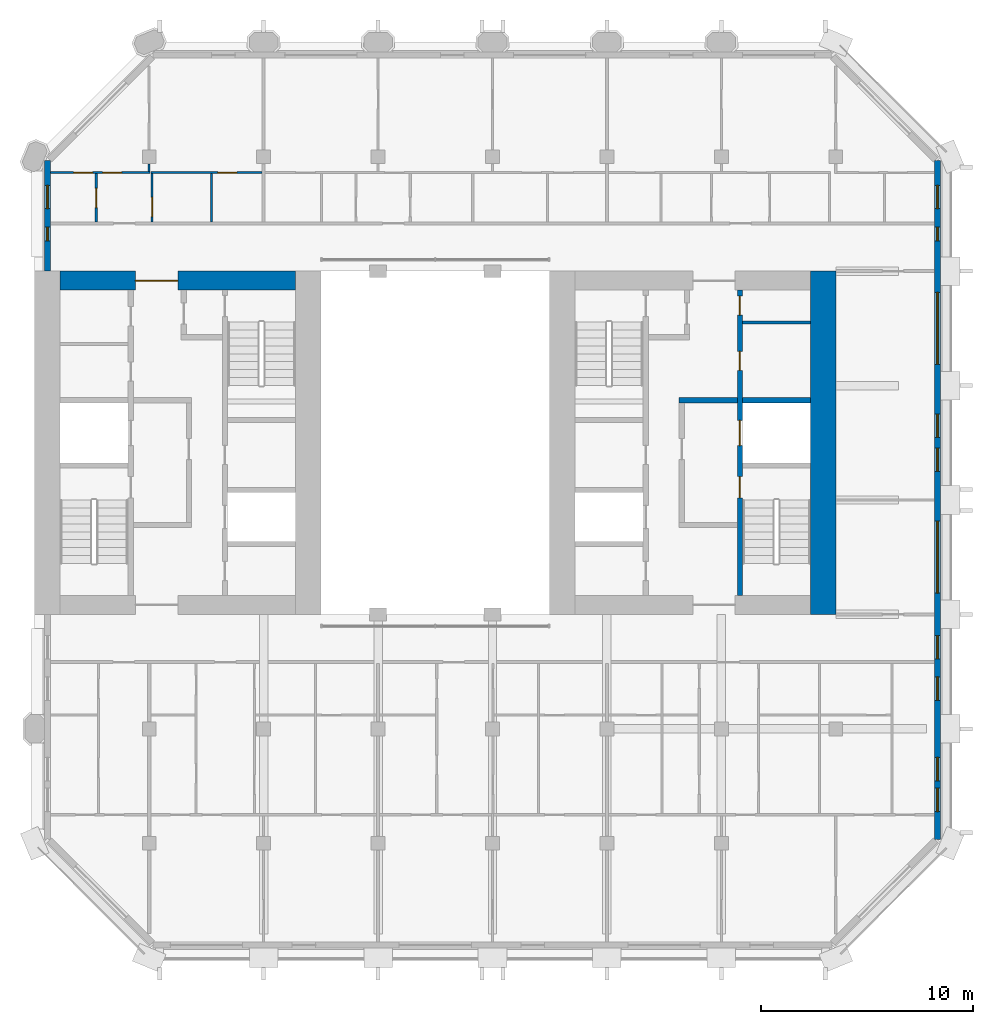
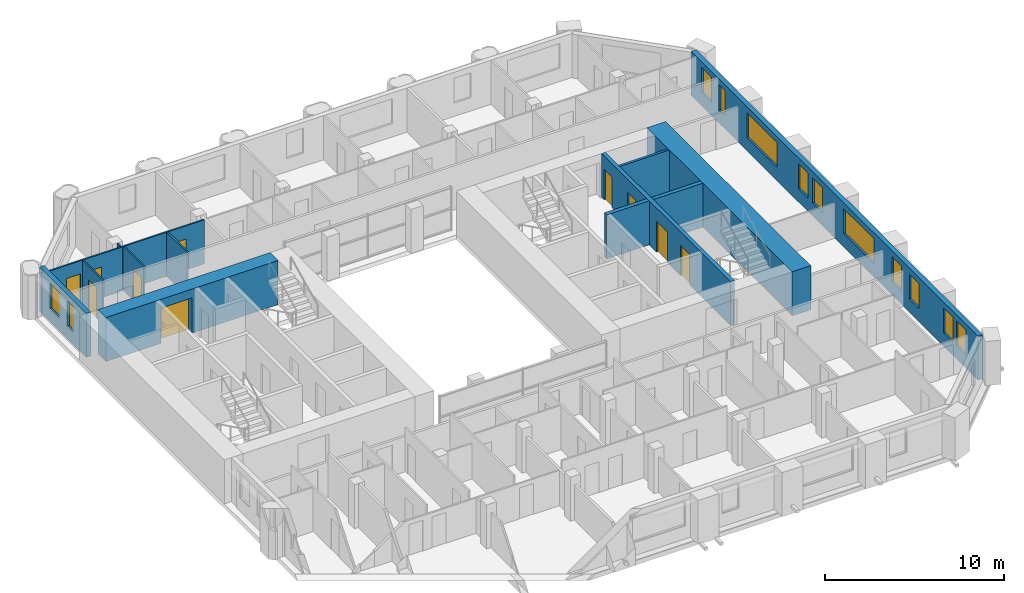
# One storey, part 9 of 13: 14 walls, 12 windows, 10 doors, 22 openings.
"""IFC4 building model written with IfcOpenShell, lengths in metres."""

import ifcopenshell
import ifcopenshell.guid

model = None  # the IFC model being written
_history = None  # IfcOwnerHistory: only IFC2X3 demands one
_inside = {}  # id of a spatial element -> (the spatial element, [elements in it])
_under = {}  # id of a project, library or spatial element -> (it, [spatial elements below it])
_declared = {}  # id of a project -> (the project, [libraries it declares])
_typed = {}  # id of a type object -> (the type object, [elements of that type])
_made_of = {}  # id of a material, layer set ... -> (it, [elements and type objects made of it])


def new_model(schema):
    """Start an empty IFC model of exactly this schema.

    Asked for "IFC4X3", IfcOpenShell would pick the latest addendum, in which some entities
    have other attributes; the version numbers below select the first issue.
    IFC2X3 requires an IfcOwnerHistory on every rooted entity: one is made here for all.
    """
    global model, _history
    if schema == "IFC4X3":
        model = ifcopenshell.file(schema_version=(4, 3, 0, 0))
    else:
        model = ifcopenshell.file(schema=schema)
    _inside.clear()
    _under.clear()
    _declared.clear()
    _typed.clear()
    _made_of.clear()
    _history = None
    if model.schema == "IFC2X3":
        org = make("IfcOrganization", Name="unknown")
        user = make(
            "IfcPersonAndOrganization",
            ThePerson=make("IfcPerson", FamilyName="unknown"),
            TheOrganization=org,
        )
        app = make(
            "IfcApplication",
            ApplicationDeveloper=org,
            Version="unknown",
            ApplicationFullName="unknown",
            ApplicationIdentifier="unknown",
        )
        _history = make(
            "IfcOwnerHistory",
            OwningUser=user,
            OwningApplication=app,
            ChangeAction="ADDED",
            CreationDate=0,
        )
    return model


def make(cls, **values):
    """One entity of the class cls with the attributes given. An attribute that is None is left unset."""
    return model.create_entity(
        cls, **{name: value for name, value in values.items() if value is not None}
    )


def rooted(cls, **values):
    """An entity with a GlobalId (a new one), such as an element, a storey or a relation."""
    return make(cls, GlobalId=ifcopenshell.guid.new(), OwnerHistory=_history, **values)


def si_unit(unit_type, name, prefix=None):
    """IfcSIUnit, for example si_unit("LENGTHUNIT", "METRE", prefix="MILLI")."""
    return make("IfcSIUnit", UnitType=unit_type, Prefix=prefix, Name=name)


def assignment(units):
    """IfcUnitAssignment: the units of a project."""
    return None if units is None else make("IfcUnitAssignment", Units=units)


def point(xyz):
    """IfcCartesianPoint."""
    return None if xyz is None else make("IfcCartesianPoint", Coordinates=xyz)


def direction(xyz):
    """IfcDirection."""
    return None if xyz is None else make("IfcDirection", DirectionRatios=xyz)


def frame(location, z_axis=None, x_axis=None):
    """IfcAxis2Placement3D, a coordinate frame: its origin and axes. An axis left out is left unset."""
    return make(
        "IfcAxis2Placement3D",
        Location=point(location),
        Axis=direction(z_axis),
        RefDirection=direction(x_axis),
    )


def frame_2d(location, x_axis=None):
    """IfcAxis2Placement2D, a coordinate frame in the plane: its origin and x axis."""
    return make(
        "IfcAxis2Placement2D", Location=point(location), RefDirection=direction(x_axis)
    )


def origin():
    """The frame at (0, 0, 0) with its axes left unset."""
    return frame((0.0, 0.0, 0.0))


def place(relative_to, where):
    """IfcLocalPlacement: puts the frame where relative to a parent placement (None: the world)."""
    return make(
        "IfcLocalPlacement", PlacementRelTo=relative_to, RelativePlacement=where
    )


def context(
    kind, dimensions, precision=None, world=None, true_north=None, identifier=None
):
    """IfcGeometricRepresentationContext, for example the 3D "Model" context."""
    return make(
        "IfcGeometricRepresentationContext",
        ContextIdentifier=identifier,
        ContextType=kind,
        CoordinateSpaceDimension=dimensions,
        Precision=precision,
        WorldCoordinateSystem=world,
        TrueNorth=true_north,
    )


def subcontext(parent, identifier, kind, view, scale=None):
    """IfcGeometricRepresentationSubContext, for example "Body" below "Model"."""
    return make(
        "IfcGeometricRepresentationSubContext",
        ContextIdentifier=identifier,
        ContextType=kind,
        ParentContext=parent,
        TargetScale=scale,
        TargetView=view,
    )


def project(units=None, contexts=None):
    """IfcProject with its units and contexts."""
    return rooted(
        "IfcProject",
        Name="project",
        RepresentationContexts=contexts,
        UnitsInContext=assignment(units),
    )


def spatial(cls, under=None, at=None, **own):
    """A site, building, storey or space (cls), placed at a placement, below another one or the project."""
    s = rooted(cls, ObjectPlacement=at, **own)
    if under is not None:
        _under.setdefault(under.id(), (under, []))[1].append(s)
    return s


def profile(cls, at=None, kind="AREA", **sizes):
    """A parametric profile (cls). Its sizes go by their IFC names, for example OverallWidth=200.0."""
    return make(cls, ProfileType=kind, Position=at, **sizes)


def rectangle(**sizes):
    """IfcRectangleProfileDef."""
    return profile("IfcRectangleProfileDef", **sizes)


def extrude(swept, where, along, depth):
    """IfcExtrudedAreaSolid: the profile swept, set in the frame where, extruded along a direction by depth."""
    return make(
        "IfcExtrudedAreaSolid",
        SweptArea=swept,
        Position=where,
        ExtrudedDirection=direction(along),
        Depth=depth,
    )


def shape(context_of_items, identifier, shape_type, items):
    """IfcShapeRepresentation: the items that make up one representation, for example the "Body"."""
    return make(
        "IfcShapeRepresentation",
        ContextOfItems=context_of_items,
        RepresentationIdentifier=identifier,
        RepresentationType=shape_type,
        Items=items,
    )


def material(Name=None, Category=None):
    """IfcMaterial."""
    return make("IfcMaterial", Name=Name, Category=Category)


def layer(
    of_material, thickness, ventilated=None, Name=None, Category=None, Priority=None
):
    """IfcMaterialLayer: one layer of a wall or slab, of a material (None: an air gap)."""
    return make(
        "IfcMaterialLayer",
        Material=of_material,
        LayerThickness=thickness,
        IsVentilated=ventilated,
        Name=Name,
        Category=Category,
        Priority=Priority,
    )


def layer_set(layers, Name=None):
    """IfcMaterialLayerSet."""
    return make("IfcMaterialLayerSet", MaterialLayers=layers, LayerSetName=Name)


def made_of(thing, what):
    """Note that an element or type object is made of a material, layer set ...; save() writes the relation."""
    if what is not None:
        _made_of.setdefault(what.id(), (what, []))[1].append(thing)
    return thing


def type_object(cls, material=None, **own):
    """A type object (cls), such as IfcWallType, which elements share."""
    return made_of(rooted(cls, **own), material)


def element(
    cls,
    number,
    at=None,
    inside=None,
    cuts=None,
    type_object=None,
    material=None,
    context=None,
    identifier="Body",
    shape_type=None,
    held_by="IfcProductDefinitionShape",
    body=None,
    shapes=None,
    **own,
):
    """One element of the class cls, such as IfcWall. Its Tag is "e" and its number.

    at: its placement. inside: the storey or other place that contains it. cuts: it is an
    opening in that element (IfcRelVoidsElement). A single representation is given by context,
    identifier, shape_type and body (its items); several are given by shapes. held_by: the class
    of the entity that holds the representations. save() writes the other relations.
    """
    e = rooted(cls, Tag="e%d" % number, ObjectPlacement=at, **own)
    if body is not None:
        shapes = [shape(context, identifier, shape_type, body)]
    if shapes is not None:
        e.Representation = make(held_by, Representations=shapes)
    if inside is not None:
        _inside.setdefault(inside.id(), (inside, []))[1].append(e)
    if cuts is not None:
        rooted(
            "IfcRelVoidsElement", RelatingBuildingElement=cuts, RelatedOpeningElement=e
        )
    if type_object is not None:
        _typed.setdefault(type_object.id(), (type_object, []))[1].append(e)
    return made_of(e, material)


def fill(opening, filler):
    """IfcRelFillsElement: the door or window that sits in an opening."""
    return rooted(
        "IfcRelFillsElement",
        RelatingOpeningElement=opening,
        RelatedBuildingElement=filler,
    )


def aggregate(whole, parts):
    """IfcRelAggregates: a whole, such as a stair, and the parts it consists of."""
    return rooted("IfcRelAggregates", RelatingObject=whole, RelatedObjects=parts)


def save(model, path):
    """Write the relations noted so far, then the file.

    IfcRelAggregates (storeys below a building ...), IfcRelContainedInSpatialStructure (elements
    in a storey), IfcRelDefinesByType, IfcRelAssociatesMaterial and IfcRelDeclares: one each for
    every whole, place, type object, material and project.
    """
    for whole, parts in _under.values():
        aggregate(whole, parts)
    for where, things in _inside.values():
        rooted(
            "IfcRelContainedInSpatialStructure",
            RelatedElements=things,
            RelatingStructure=where,
        )
    for kind, things in _typed.values():
        rooted("IfcRelDefinesByType", RelatedObjects=things, RelatingType=kind)
    for what, things in _made_of.values():
        rooted("IfcRelAssociatesMaterial", RelatedObjects=things, RelatingMaterial=what)
    for by, libraries in _declared.values():
        rooted("IfcRelDeclares", RelatingContext=by, RelatedDefinitions=libraries)
    model.write(path)


model = new_model("IFC4")

# Units and contexts
model_context = context("Model", 3, precision=1e-05, world=origin(), true_north=direction((0.0, 1.0)))
body_context = subcontext(model_context, "Body", "Model", "MODEL_VIEW")
ifc_project = project(units=[si_unit("LENGTHUNIT", "METRE"), si_unit("AREAUNIT", "SQUARE_METRE"), si_unit("VOLUMEUNIT", "CUBIC_METRE"), si_unit("PLANEANGLEUNIT", "RADIAN"), si_unit("MASSUNIT", "GRAM", prefix="KILO")], contexts=[model_context])

# Site, building, storey
site_placement = place(None, origin())
site = spatial("IfcSite", under=ifc_project, at=site_placement, CompositionType="ELEMENT")
building_placement = place(site_placement, origin())
building = spatial("IfcBuilding", under=site, at=building_placement, Name="Tabaq Tower and Sports Hall", CompositionType="ELEMENT")
storey_placement = place(building_placement, frame((0.0, 0.0, 271.89990234375)))
storey = spatial("IfcBuildingStorey", under=building, at=storey_placement, Name="L66", CompositionType="ELEMENT", Elevation=271.89990234375)

# Walls
ifc_material_1 = material(Name="Blockwork", Category="masonry")
ifc_layer_1 = layer(ifc_material_1, 0.14990234375)
ifc_layer_set_1 = layer_set([ifc_layer_1], Name="Core room partition 150 Blockwork")
wall_type_1 = type_object("IfcWallType", Name="Core room partition 150 Blockwork", PredefinedType="PARTITIONING", material=ifc_layer_set_1)
wall_1_placement = place(storey_placement, frame((38.800048828125, 29.97705078125, 0.0), z_axis=(0.0, 0.0, 1.0), x_axis=(1.0, 0.0, 0.0)))
element("IfcWall", 1, at=wall_1_placement, inside=storey, type_object=wall_type_1, Name="Core room partition E L66", PredefinedType="PARTITIONING", context=body_context, shape_type="SweptSolid", body=[
    extrude(rectangle(XDim=3.199951171875, YDim=0.14990234375, at=frame_2d((1.60009765625, 0.0))), origin(), (0.0, 0.0, 1.0), 3.0),
])
ifc_material_2 = material(Name="Concrete C40/50", Category="concrete")
ifc_layer_2 = layer(ifc_material_2, 1.199951171875)
ifc_layer_set_2 = layer_set([ifc_layer_2], Name="Core wall 1200 Concrete C40/50")
wall_type_2 = type_object("IfcWallType", Name="Core wall 1200 Concrete C40/50", PredefinedType="SOLIDWALL", material=ifc_layer_set_2)
wall_2_placement = place(storey_placement, frame((42.60009765625, 32.39990234375, 0.0), z_axis=(0.0, 0.0, 1.0), x_axis=(0.0, -1.0, 0.0)))
element("IfcWall", 2, at=wall_2_placement, inside=storey, type_object=wall_type_2, Name="Core wall E L66", PredefinedType="SOLIDWALL", context=body_context, shape_type="SweptSolid", body=[
    extrude(rectangle(XDim=16.199951171875, YDim=1.199951171875, at=frame_2d((8.10009765625, 0.0))), origin(), (0.0, 0.0, 1.0), 3.0),
])

# Wall, opening, door
ifc_material_3 = material(Name="Concrete C40/50", Category="concrete")
ifc_layer_3 = layer(ifc_material_3, 0.89990234375)
ifc_layer_set_3 = layer_set([ifc_layer_3], Name="Core wall 900 Concrete C40/50")
wall_type_3 = type_object("IfcWallType", Name="Core wall 900 Concrete C40/50", PredefinedType="SOLIDWALL", material=ifc_layer_set_3)
wall_3_placement = place(storey_placement, frame((6.60009765625, 31.949951171875, 0.0), z_axis=(0.0, 0.0, 1.0), x_axis=(1.0, 0.0, 0.0)))
wall_3 = element("IfcWall", 3, at=wall_3_placement, inside=storey, type_object=wall_type_3, Name="Core wall W L66", PredefinedType="SOLIDWALL", context=body_context, shape_type="SweptSolid", body=[
    extrude(rectangle(XDim=11.099853515625, YDim=0.89990234375, at=frame_2d((5.5498046875, 0.0))), origin(), (0.0, 0.0, 1.0), 3.0),
])
opening_1_placement = place(wall_3_placement, frame((3.550048828125, 0.0, 0.0)))
opening_1 = element("IfcOpeningElement", 4, at=opening_1_placement, cuts=wall_3, Name="Opening PD-WL66-02", PredefinedType="OPENING", context=body_context, shape_type="SweptSolid", body=[
    extrude(rectangle(XDim=2.0, YDim=2.39990234375, at=frame_2d((1.0, 1.199951171875))), frame((0.0, 0.449951171875, 0.0), z_axis=(0.0, -1.0, 0.0), x_axis=(1.0, 0.0, 0.0)), (0.0, 0.0, 1.0), 0.89990234375),
])
ifc_material_4 = material(Name="Steel fire door", Category="steel")
door_type_1 = type_object("IfcDoorType", Name="Core entrance door 2000", OperationType="DOUBLE_DOOR_SINGLE_SWING", PredefinedType="DOOR", material=ifc_material_4)
door_1_placement = place(opening_1_placement, origin())
door_1 = element("IfcDoor", 5, at=door_1_placement, inside=storey, type_object=door_type_1, Name="Core entrance north W L66", OperationType="DOUBLE_DOOR_SINGLE_SWING", OverallHeight=2.39990234375, OverallWidth=2.0, PredefinedType="DOOR", context=body_context, shape_type="SweptSolid", body=[
    extrude(rectangle(XDim=2.0, YDim=2.39990234375, at=frame_2d((1.0, 1.199951171875))), frame((0.0, 0.02490234375, 0.0), z_axis=(0.0, -1.0, 0.0), x_axis=(1.0, 0.0, 0.0)), (0.0, 0.0, 1.0), 0.050048828125),
])
fill(opening_1, door_1)

# Wall, openings, doors
ifc_material_5 = material(Name="Gypsum board on steel studs", Category="steel")
ifc_layer_4 = layer(ifc_material_5, 0.10009765625)
ifc_layer_set_4 = layer_set([ifc_layer_4], Name="Partition 100 Gypsum board")
wall_type_4 = type_object("IfcWallType", Name="Partition 100 Gypsum board", PredefinedType="PARTITIONING", material=ifc_layer_set_4)
wall_4_placement = place(storey_placement, frame((6.15087890625, 37.050048828125, 0.0), z_axis=(0.0, 0.0, 1.0), x_axis=(1.0, 0.0, 0.0)))
wall_4 = element("IfcWall", 6, at=wall_4_placement, inside=storey, type_object=wall_type_4, Name="Partition wall L66", PredefinedType="PARTITIONING", context=body_context, shape_type="SweptSolid", body=[
    extrude(rectangle(XDim=4.69921875, YDim=0.10009765625, at=frame_2d((2.349609375, 0.0))), origin(), (0.0, 0.0, 1.0), 3.0),
])
opening_2_placement = place(wall_4_placement, frame((1.0791015625, 0.0, 0.0)))
opening_2 = element("IfcOpeningElement", 7, at=opening_2_placement, cuts=wall_4, Name="Opening L66-032", PredefinedType="OPENING", context=body_context, shape_type="SweptSolid", body=[
    extrude(rectangle(XDim=0.89990234375, YDim=2.10009765625, at=frame_2d((0.449951171875, 1.050048828125))), frame((0.0, 0.050048828125, 0.0), z_axis=(0.0, -1.0, 0.0), x_axis=(1.0, 0.0, 0.0)), (0.0, 0.0, 1.0), 0.10009765625),
])
opening_3_placement = place(wall_4_placement, frame((2.448974609375, 0.0, 0.0)))
opening_3 = element("IfcOpeningElement", 8, at=opening_3_placement, cuts=wall_4, Name="Opening L66-050", PredefinedType="OPENING", context=body_context, shape_type="SweptSolid", body=[
    extrude(rectangle(XDim=0.89990234375, YDim=2.10009765625, at=frame_2d((0.449951171875, 1.050048828125))), frame((0.0, 0.050048828125, 0.0), z_axis=(0.0, -1.0, 0.0), x_axis=(1.0, 0.0, 0.0)), (0.0, 0.0, 1.0), 0.10009765625),
])
ifc_material_6 = material(Name="Timber leaf in steel frame", Category="steel")
door_type_2 = type_object("IfcDoorType", Name="Internal door 900 left hand", OperationType="SINGLE_SWING_LEFT", PredefinedType="DOOR", material=ifc_material_6)
door_2_placement = place(opening_3_placement, origin())
door_2 = element("IfcDoor", 9, at=door_2_placement, inside=storey, type_object=door_type_2, Name="Internal door L66-050", OperationType="SINGLE_SWING_LEFT", OverallHeight=2.10009765625, OverallWidth=0.89990234375, PredefinedType="DOOR", context=body_context, shape_type="SweptSolid", body=[
    extrude(rectangle(XDim=0.89990234375, YDim=2.10009765625, at=frame_2d((0.449951171875, 1.050048828125))), frame((0.0, 0.02490234375, 0.0), z_axis=(0.0, -1.0, 0.0), x_axis=(1.0, 0.0, 0.0)), (0.0, 0.0, 1.0), 0.050048828125),
])
fill(opening_3, door_2)
ifc_material_7 = material(Name="Timber leaf in steel frame", Category="steel")
door_type_3 = type_object("IfcDoorType", Name="Internal door 900 right hand", OperationType="SINGLE_SWING_RIGHT", PredefinedType="DOOR", material=ifc_material_7)
door_3_placement = place(opening_2_placement, origin())
door_3 = element("IfcDoor", 10, at=door_3_placement, inside=storey, type_object=door_type_3, Name="Internal door L66-032", OperationType="SINGLE_SWING_RIGHT", OverallHeight=2.10009765625, OverallWidth=0.89990234375, PredefinedType="DOOR", context=body_context, shape_type="SweptSolid", body=[
    extrude(rectangle(XDim=0.89990234375, YDim=2.10009765625, at=frame_2d((0.449951171875, 1.050048828125))), frame((0.0, 0.02490234375, 0.0), z_axis=(0.0, -1.0, 0.0), x_axis=(1.0, 0.0, 0.0)), (0.0, 0.0, 1.0), 0.050048828125),
])
fill(opening_2, door_3)

# Wall
wall_5_placement = place(storey_placement, frame((10.800048828125, 37.10009765625, 0.0), z_axis=(0.0, 0.0, 1.0), x_axis=(0.0, 1.0, 0.0)))
element("IfcWall", 11, at=wall_5_placement, inside=storey, type_object=wall_type_4, Name="Partition wall L66", PredefinedType="PARTITIONING", context=body_context, shape_type="SweptSolid", body=[
    extrude(rectangle(XDim=0.35498046875, YDim=0.10009765625, at=frame_2d((0.177490234375, 0.0))), origin(), (0.0, 0.0, 1.0), 3.0),
])

# Wall, opening, door
wall_6_placement = place(storey_placement, frame((10.889892578125, 37.050048828125, 0.0), z_axis=(0.0, 0.0, 1.0), x_axis=(1.0, 0.0, 0.0)))
wall_6 = element("IfcWall", 12, at=wall_6_placement, inside=storey, type_object=wall_type_4, Name="Partition wall L66", PredefinedType="PARTITIONING", context=body_context, shape_type="SweptSolid", body=[
    extrude(rectangle(XDim=5.235107421875, YDim=0.10009765625, at=frame_2d((2.61767578125, 0.0))), origin(), (0.0, 0.0, 1.0), 3.0),
])
opening_4_placement = place(wall_6_placement, frame((3.14990234375, 0.0, 0.0)))
opening_4 = element("IfcOpeningElement", 13, at=opening_4_placement, cuts=wall_6, Name="Opening L66-001", PredefinedType="OPENING", context=body_context, shape_type="SweptSolid", body=[
    extrude(rectangle(XDim=0.89990234375, YDim=2.10009765625, at=frame_2d((0.449951171875, 1.050048828125))), frame((0.0, 0.050048828125, 0.0), z_axis=(0.0, -1.0, 0.0), x_axis=(1.0, 0.0, 0.0)), (0.0, 0.0, 1.0), 0.10009765625),
])
door_4_placement = place(opening_4_placement, origin())
door_4 = element("IfcDoor", 14, at=door_4_placement, inside=storey, type_object=door_type_2, Name="Internal door L66-001", OperationType="SINGLE_SWING_LEFT", OverallHeight=2.10009765625, OverallWidth=0.89990234375, PredefinedType="DOOR", context=body_context, shape_type="SweptSolid", body=[
    extrude(rectangle(XDim=0.89990234375, YDim=2.10009765625, at=frame_2d((0.449951171875, 1.050048828125))), frame((0.0, 0.02490234375, 0.0), z_axis=(0.0, -1.0, 0.0), x_axis=(1.0, 0.0, 0.0)), (0.0, 0.0, 1.0), 0.050048828125),
])
fill(opening_4, door_4)

wall_7_placement = place(storey_placement, frame((8.300048828125, 34.72509765625, 0.0), z_axis=(0.0, 0.0, 1.0), x_axis=(0.0, 1.0, 0.0)))
wall_7 = element("IfcWall", 15, at=wall_7_placement, inside=storey, type_object=wall_type_4, Name="Partition wall L66", PredefinedType="PARTITIONING", context=body_context, shape_type="SweptSolid", body=[
    extrude(rectangle(XDim=2.27490234375, YDim=0.10009765625, at=frame_2d((1.137451171875, 0.0))), origin(), (0.0, 0.0, 1.0), 3.0),
])
opening_5_placement = place(wall_7_placement, frame((0.675048828125, 0.0, 0.0)))
opening_5 = element("IfcOpeningElement", 16, at=opening_5_placement, cuts=wall_7, Name="Opening L66-033", PredefinedType="OPENING", context=body_context, shape_type="SweptSolid", body=[
    extrude(rectangle(XDim=0.89990234375, YDim=2.10009765625, at=frame_2d((0.449951171875, 1.050048828125))), frame((0.0, 0.050048828125, 0.0), z_axis=(0.0, -1.0, 0.0), x_axis=(1.0, 0.0, 0.0)), (0.0, 0.0, 1.0), 0.10009765625),
])
door_5_placement = place(opening_5_placement, origin())
door_5 = element("IfcDoor", 17, at=door_5_placement, inside=storey, type_object=door_type_2, Name="Internal door L66-033", OperationType="SINGLE_SWING_LEFT", OverallHeight=2.10009765625, OverallWidth=0.89990234375, PredefinedType="DOOR", context=body_context, shape_type="SweptSolid", body=[
    extrude(rectangle(XDim=0.89990234375, YDim=2.10009765625, at=frame_2d((0.449951171875, 1.050048828125))), frame((0.0, 0.02490234375, 0.0), z_axis=(0.0, -1.0, 0.0), x_axis=(1.0, 0.0, 0.0)), (0.0, 0.0, 1.0), 0.050048828125),
])
fill(opening_5, door_5)

wall_8_placement = place(storey_placement, frame((10.93994140625, 34.72509765625, 0.0), z_axis=(0.0, 0.0, 1.0), x_axis=(0.0, 1.0, 0.0)))
wall_8 = element("IfcWall", 18, at=wall_8_placement, inside=storey, type_object=wall_type_4, Name="Partition wall L66", PredefinedType="PARTITIONING", context=body_context, shape_type="SweptSolid", body=[
    extrude(rectangle(XDim=2.27490234375, YDim=0.10009765625, at=frame_2d((1.137451171875, 0.0))), origin(), (0.0, 0.0, 1.0), 3.0),
])
opening_6_placement = place(wall_8_placement, frame((0.25, 0.0, 0.0)))
opening_6 = element("IfcOpeningElement", 19, at=opening_6_placement, cuts=wall_8, Name="Opening L66-002", PredefinedType="OPENING", context=body_context, shape_type="SweptSolid", body=[
    extrude(rectangle(XDim=0.89990234375, YDim=2.10009765625, at=frame_2d((0.449951171875, 1.050048828125))), frame((0.0, 0.050048828125, 0.0), z_axis=(0.0, -1.0, 0.0), x_axis=(1.0, 0.0, 0.0)), (0.0, 0.0, 1.0), 0.10009765625),
])
door_6_placement = place(opening_6_placement, origin())
door_6 = element("IfcDoor", 20, at=door_6_placement, inside=storey, type_object=door_type_2, Name="Internal door L66-002", OperationType="SINGLE_SWING_LEFT", OverallHeight=2.10009765625, OverallWidth=0.89990234375, PredefinedType="DOOR", context=body_context, shape_type="SweptSolid", body=[
    extrude(rectangle(XDim=0.89990234375, YDim=2.10009765625, at=frame_2d((0.449951171875, 1.050048828125))), frame((0.0, 0.02490234375, 0.0), z_axis=(0.0, -1.0, 0.0), x_axis=(1.0, 0.0, 0.0)), (0.0, 0.0, 1.0), 0.050048828125),
])
fill(opening_6, door_6)

# Wall
wall_9_placement = place(storey_placement, frame((13.739990234375, 34.72509765625, 0.0), z_axis=(0.0, 0.0, 1.0), x_axis=(0.0, 1.0, 0.0)))
element("IfcWall", 21, at=wall_9_placement, inside=storey, type_object=wall_type_4, Name="Partition wall L66", PredefinedType="PARTITIONING", context=body_context, shape_type="SweptSolid", body=[
    extrude(rectangle(XDim=2.27490234375, YDim=0.10009765625, at=frame_2d((1.137451171875, 0.0))), origin(), (0.0, 0.0, 1.0), 3.0),
])

# Wall, openings, doors
ifc_material_8 = material(Name="Concrete C40/50", Category="concrete")
ifc_layer_5 = layer(ifc_material_8, 0.25)
ifc_layer_set_5 = layer_set([ifc_layer_5], Name="Shaft and stair wall 250 Concrete C40/50")
wall_type_5 = type_object("IfcWallType", Name="Shaft and stair wall 250 Concrete C40/50", PredefinedType="SOLIDWALL", material=ifc_layer_set_5)
wall_10_placement = place(storey_placement, frame((38.675048828125, 17.10009765625, 0.0), z_axis=(0.0, 0.0, 1.0), x_axis=(0.0, 1.0, 0.0)))
wall_10 = element("IfcWall", 22, at=wall_10_placement, inside=storey, type_object=wall_type_5, Name="Shaft wall E L66", PredefinedType="SOLIDWALL", context=body_context, shape_type="SweptSolid", body=[
    extrude(rectangle(XDim=14.39990234375, YDim=0.25, at=frame_2d((7.199951171875, 0.0))), origin(), (0.0, 0.0, 1.0), 3.0),
])
opening_7_placement = place(wall_10_placement, frame((4.60009765625, 0.0, 0.0)))
opening_7 = element("IfcOpeningElement", 23, at=opening_7_placement, cuts=wall_10, Name="Opening SD-EL66-03", PredefinedType="OPENING", context=body_context, shape_type="SweptSolid", body=[
    extrude(rectangle(XDim=1.0, YDim=2.10009765625, at=frame_2d((0.5, 1.050048828125))), frame((0.0, 0.125, 0.0), z_axis=(0.0, -1.0, 0.0), x_axis=(1.0, 0.0, 0.0)), (0.0, 0.0, 1.0), 0.25),
])
opening_8_placement = place(wall_10_placement, frame((7.0625, 0.0, 0.0)))
opening_8 = element("IfcOpeningElement", 24, at=opening_8_placement, cuts=wall_10, Name="Opening LD-FF2-L66", PredefinedType="OPENING", context=body_context, shape_type="SweptSolid", body=[
    extrude(rectangle(XDim=1.199951171875, YDim=2.10009765625, at=frame_2d((0.60009765625, 1.050048828125))), frame((0.0, 0.125, 0.0), z_axis=(0.0, -1.0, 0.0), x_axis=(1.0, 0.0, 0.0)), (0.0, 0.0, 1.0), 0.25),
])
opening_9_placement = place(wall_10_placement, frame((10.613525390625, 0.0, 0.0)))
opening_9 = element("IfcOpeningElement", 25, at=opening_9_placement, cuts=wall_10, Name="Opening RD-EL66-09", PredefinedType="OPENING", context=body_context, shape_type="SweptSolid", body=[
    extrude(rectangle(XDim=0.89990234375, YDim=2.10009765625, at=frame_2d((0.449951171875, 1.050048828125))), frame((0.0, 0.125, 0.0), z_axis=(0.0, -1.0, 0.0), x_axis=(1.0, 0.0, 0.0)), (0.0, 0.0, 1.0), 0.25),
])
opening_10_placement = place(wall_10_placement, frame((13.22607421875, 0.0, 0.0)))
opening_10 = element("IfcOpeningElement", 26, at=opening_10_placement, cuts=wall_10, Name="Opening RD-EL66-10", PredefinedType="OPENING", context=body_context, shape_type="SweptSolid", body=[
    extrude(rectangle(XDim=0.89990234375, YDim=2.10009765625, at=frame_2d((0.449951171875, 1.050048828125))), frame((0.0, 0.125, 0.0), z_axis=(0.0, -1.0, 0.0), x_axis=(1.0, 0.0, 0.0)), (0.0, 0.0, 1.0), 0.25),
])
ifc_material_9 = material(Name="Steel fire door", Category="steel")
door_type_4 = type_object("IfcDoorType", Name="Core room door 900", OperationType="SINGLE_SWING_LEFT", PredefinedType="DOOR", material=ifc_material_9)
door_7_placement = place(opening_9_placement, origin())
door_7 = element("IfcDoor", 27, at=door_7_placement, inside=storey, type_object=door_type_4, Name="Door Comms Room E L66", OperationType="SINGLE_SWING_LEFT", OverallHeight=2.10009765625, OverallWidth=0.89990234375, PredefinedType="DOOR", context=body_context, shape_type="SweptSolid", body=[
    extrude(rectangle(XDim=0.89990234375, YDim=2.10009765625, at=frame_2d((0.449951171875, 1.050048828125))), frame((0.0, 0.02490234375, 0.0), z_axis=(0.0, -1.0, 0.0), x_axis=(1.0, 0.0, 0.0)), (0.0, 0.0, 1.0), 0.050048828125),
])
fill(opening_9, door_7)
door_8_placement = place(opening_10_placement, origin())
door_8 = element("IfcDoor", 28, at=door_8_placement, inside=storey, type_object=door_type_4, Name="Door Electrical Room E L66", OperationType="SINGLE_SWING_LEFT", OverallHeight=2.10009765625, OverallWidth=0.89990234375, PredefinedType="DOOR", context=body_context, shape_type="SweptSolid", body=[
    extrude(rectangle(XDim=0.89990234375, YDim=2.10009765625, at=frame_2d((0.449951171875, 1.050048828125))), frame((0.0, 0.02490234375, 0.0), z_axis=(0.0, -1.0, 0.0), x_axis=(1.0, 0.0, 0.0)), (0.0, 0.0, 1.0), 0.050048828125),
])
fill(opening_10, door_8)
ifc_material_10 = material(Name="Stainless steel", Category="steel")
door_type_5 = type_object("IfcDoorType", Name="Lift landing door 1200", OperationType="DOUBLE_DOOR_SLIDING", PredefinedType="DOOR", material=ifc_material_10)
door_9_placement = place(opening_8_placement, origin())
door_9 = element("IfcDoor", 29, at=door_9_placement, inside=storey, type_object=door_type_5, Name="Lift landing door FF2 E L66", OperationType="DOUBLE_DOOR_SLIDING", OverallHeight=2.10009765625, OverallWidth=1.199951171875, PredefinedType="DOOR", context=body_context, shape_type="SweptSolid", body=[
    extrude(rectangle(XDim=1.199951171875, YDim=2.10009765625, at=frame_2d((0.60009765625, 1.050048828125))), frame((0.0, 0.02490234375, 0.0), z_axis=(0.0, -1.0, 0.0), x_axis=(1.0, 0.0, 0.0)), (0.0, 0.0, 1.0), 0.050048828125),
])
fill(opening_8, door_9)
ifc_material_11 = material(Name="Steel fire door", Category="steel")
door_type_6 = type_object("IfcDoorType", Name="Stair door 1000", OperationType="SINGLE_SWING_LEFT", PredefinedType="DOOR", material=ifc_material_11)
door_10_placement = place(opening_7_placement, origin())
door_10 = element("IfcDoor", 30, at=door_10_placement, inside=storey, type_object=door_type_6, Name="Stair door ST3 E L66", OperationType="SINGLE_SWING_LEFT", OverallHeight=2.10009765625, OverallWidth=1.0, PredefinedType="DOOR", context=body_context, shape_type="SweptSolid", body=[
    extrude(rectangle(XDim=1.0, YDim=2.10009765625, at=frame_2d((0.5, 1.050048828125))), frame((0.0, 0.02490234375, 0.0), z_axis=(0.0, -1.0, 0.0), x_axis=(1.0, 0.0, 0.0)), (0.0, 0.0, 1.0), 0.050048828125),
])
fill(opening_7, door_10)

# Walls
wall_11_placement = place(storey_placement, frame((38.800048828125, 26.300048828125, 0.0), z_axis=(0.0, 0.0, 1.0), x_axis=(1.0, 0.0, 0.0)))
element("IfcWall", 31, at=wall_11_placement, inside=storey, type_object=wall_type_5, Name="Shaft wall E L66", PredefinedType="SOLIDWALL", context=body_context, shape_type="SweptSolid", body=[
    extrude(rectangle(XDim=3.199951171875, YDim=0.25, at=frame_2d((1.60009765625, 0.0))), origin(), (0.0, 0.0, 1.0), 3.0),
])
wall_12_placement = place(storey_placement, frame((35.800048828125, 26.300048828125, 0.0), z_axis=(0.0, 0.0, 1.0), x_axis=(1.0, 0.0, 0.0)))
element("IfcWall", 32, at=wall_12_placement, inside=storey, type_object=wall_type_5, Name="Fire-fighting lobby wall E L66", PredefinedType="SOLIDWALL", context=body_context, shape_type="SweptSolid", body=[
    extrude(rectangle(XDim=2.75, YDim=0.25, at=frame_2d((1.375, 0.0))), origin(), (0.0, 0.0, 1.0), 3.0),
])

# Wall, openings, windows
ifc_material_12 = material(Name="White precast concrete C60/75", Category="concrete")
ifc_layer_6 = layer(ifc_material_12, 0.300048828125)
ifc_layer_set_6 = layer_set([ifc_layer_6], Name="White precast concrete C60/75 external wall 300")
wall_type_6 = type_object("IfcWallType", Name="White precast concrete C60/75 external wall 300", PredefinedType="SOLIDWALL", material=ifc_layer_set_6)
wall_13_placement = place(storey_placement, frame((48.0, 5.58642578125, 0.0), z_axis=(0.0, 0.0, 1.0), x_axis=(0.0, 1.0, 0.0)))
wall_13 = element("IfcWall", 33, at=wall_13_placement, inside=storey, type_object=wall_type_6, Name="External Wall L66 E", PredefinedType="SOLIDWALL", context=body_context, shape_type="SweptSolid", body=[
    extrude(rectangle(XDim=32.027099609375, YDim=0.300048828125, at=frame_2d((16.013671875, 0.0))), origin(), (0.0, 0.0, 1.0), 3.0),
])
opening_11_placement = place(wall_13_placement, frame((1.313720703125, 0.0, 0.89990234375)))
opening_11 = element("IfcOpeningElement", 34, at=opening_11_placement, cuts=wall_13, Name="Opening W1B", PredefinedType="OPENING", context=body_context, shape_type="SweptSolid", body=[
    extrude(rectangle(XDim=1.10009765625, YDim=1.699951171875, at=frame_2d((0.550048828125, 0.85009765625))), frame((0.0, 0.16015625, 0.0), z_axis=(0.0, -1.0, 0.0), x_axis=(1.0, 0.0, 0.0)), (0.0, 0.0, 1.0), 0.320068359375),
])
opening_12_placement = place(wall_13_placement, frame((2.763671875, 0.0, 0.89990234375)))
opening_12 = element("IfcOpeningElement", 35, at=opening_12_placement, cuts=wall_13, Name="Opening W1B", PredefinedType="OPENING", context=body_context, shape_type="SweptSolid", body=[
    extrude(rectangle(XDim=1.10009765625, YDim=1.699951171875, at=frame_2d((0.550048828125, 0.85009765625))), frame((0.0, 0.16015625, 0.0), z_axis=(0.0, -1.0, 0.0), x_axis=(1.0, 0.0, 0.0)), (0.0, 0.0, 1.0), 0.320068359375),
])
opening_13_placement = place(wall_13_placement, frame((6.563720703125, 0.0, 0.89990234375)))
opening_13 = element("IfcOpeningElement", 36, at=opening_13_placement, cuts=wall_13, Name="Opening W1B", PredefinedType="OPENING", context=body_context, shape_type="SweptSolid", body=[
    extrude(rectangle(XDim=1.10009765625, YDim=1.699951171875, at=frame_2d((0.550048828125, 0.85009765625))), frame((0.0, 0.16015625, 0.0), z_axis=(0.0, -1.0, 0.0), x_axis=(1.0, 0.0, 0.0)), (0.0, 0.0, 1.0), 0.320068359375),
])
opening_14_placement = place(wall_13_placement, frame((8.513671875, 0.0, 0.89990234375)))
opening_14 = element("IfcOpeningElement", 37, at=opening_14_placement, cuts=wall_13, Name="Opening W1B", PredefinedType="OPENING", context=body_context, shape_type="SweptSolid", body=[
    extrude(rectangle(XDim=1.10009765625, YDim=1.699951171875, at=frame_2d((0.550048828125, 0.85009765625))), frame((0.0, 0.16015625, 0.0), z_axis=(0.0, -1.0, 0.0), x_axis=(1.0, 0.0, 0.0)), (0.0, 0.0, 1.0), 0.320068359375),
])
opening_15_placement = place(wall_13_placement, frame((11.613525390625, 0.0, 0.89990234375)))
opening_15 = element("IfcOpeningElement", 38, at=opening_15_placement, cuts=wall_13, Name="Opening W1A", PredefinedType="OPENING", context=body_context, shape_type="SweptSolid", body=[
    extrude(rectangle(XDim=3.39990234375, YDim=1.699951171875, at=frame_2d((1.699951171875, 0.85009765625))), frame((0.0, 0.16015625, 0.0), z_axis=(0.0, -1.0, 0.0), x_axis=(1.0, 0.0, 0.0)), (0.0, 0.0, 1.0), 0.320068359375),
])
opening_16_placement = place(wall_13_placement, frame((17.363525390625, 0.0, 0.89990234375)))
opening_16 = element("IfcOpeningElement", 39, at=opening_16_placement, cuts=wall_13, Name="Opening W1B", PredefinedType="OPENING", context=body_context, shape_type="SweptSolid", body=[
    extrude(rectangle(XDim=1.10009765625, YDim=1.699951171875, at=frame_2d((0.550048828125, 0.85009765625))), frame((0.0, 0.16015625, 0.0), z_axis=(0.0, -1.0, 0.0), x_axis=(1.0, 0.0, 0.0)), (0.0, 0.0, 1.0), 0.320068359375),
])
opening_17_placement = place(wall_13_placement, frame((18.963623046875, 0.0, 0.89990234375)))
opening_17 = element("IfcOpeningElement", 40, at=opening_17_placement, cuts=wall_13, Name="Opening W1B", PredefinedType="OPENING", context=body_context, shape_type="SweptSolid", body=[
    extrude(rectangle(XDim=1.10009765625, YDim=1.699951171875, at=frame_2d((0.550048828125, 0.85009765625))), frame((0.0, 0.16015625, 0.0), z_axis=(0.0, -1.0, 0.0), x_axis=(1.0, 0.0, 0.0)), (0.0, 0.0, 1.0), 0.320068359375),
])
opening_18_placement = place(wall_13_placement, frame((22.41357421875, 0.0, 0.89990234375)))
opening_18 = element("IfcOpeningElement", 41, at=opening_18_placement, cuts=wall_13, Name="Opening W1A", PredefinedType="OPENING", context=body_context, shape_type="SweptSolid", body=[
    extrude(rectangle(XDim=3.39990234375, YDim=1.699951171875, at=frame_2d((1.699951171875, 0.85009765625))), frame((0.0, 0.16015625, 0.0), z_axis=(0.0, -1.0, 0.0), x_axis=(1.0, 0.0, 0.0)), (0.0, 0.0, 1.0), 0.320068359375),
])
opening_19_placement = place(wall_13_placement, frame((28.238525390625, 0.0, 0.89990234375)))
opening_19 = element("IfcOpeningElement", 42, at=opening_19_placement, cuts=wall_13, Name="Opening W1C", PredefinedType="OPENING", context=body_context, shape_type="SweptSolid", body=[
    extrude(rectangle(XDim=0.64990234375, YDim=1.699951171875, at=frame_2d((0.324951171875, 0.85009765625))), frame((0.0, 0.16015625, 0.0), z_axis=(0.0, -1.0, 0.0), x_axis=(1.0, 0.0, 0.0)), (0.0, 0.0, 1.0), 0.320068359375),
])
opening_20_placement = place(wall_13_placement, frame((29.763671875, 0.0, 0.89990234375)))
opening_20 = element("IfcOpeningElement", 43, at=opening_20_placement, cuts=wall_13, Name="Opening W1B", PredefinedType="OPENING", context=body_context, shape_type="SweptSolid", body=[
    extrude(rectangle(XDim=1.10009765625, YDim=1.699951171875, at=frame_2d((0.550048828125, 0.85009765625))), frame((0.0, 0.16015625, 0.0), z_axis=(0.0, -1.0, 0.0), x_axis=(1.0, 0.0, 0.0)), (0.0, 0.0, 1.0), 0.320068359375),
])
ifc_material_13 = material(Name="Aluminium framed clear glazing", Category="aluminium")
window_type_1 = type_object("IfcWindowType", Name="Window W1A", PartitioningType="SINGLE_PANEL", PredefinedType="WINDOW", material=ifc_material_13)
window_1_placement = place(opening_15_placement, origin())
window_1 = element("IfcWindow", 44, at=window_1_placement, inside=storey, type_object=window_type_1, Name="Window W1A L66", OverallHeight=1.699951171875, OverallWidth=3.39990234375, PartitioningType="SINGLE_PANEL", PredefinedType="WINDOW", context=body_context, shape_type="SweptSolid", body=[
    extrude(rectangle(XDim=3.39990234375, YDim=1.699951171875, at=frame_2d((1.699951171875, 0.85009765625))), frame((0.0, 0.030029296875, 0.0), z_axis=(0.0, -1.0, 0.0), x_axis=(1.0, 0.0, 0.0)), (0.0, 0.0, 1.0), 0.06005859375),
])
fill(opening_15, window_1)
window_2_placement = place(opening_18_placement, origin())
window_2 = element("IfcWindow", 45, at=window_2_placement, inside=storey, type_object=window_type_1, Name="Window W1A L66", OverallHeight=1.699951171875, OverallWidth=3.39990234375, PartitioningType="SINGLE_PANEL", PredefinedType="WINDOW", context=body_context, shape_type="SweptSolid", body=[
    extrude(rectangle(XDim=3.39990234375, YDim=1.699951171875, at=frame_2d((1.699951171875, 0.85009765625))), frame((0.0, 0.030029296875, 0.0), z_axis=(0.0, -1.0, 0.0), x_axis=(1.0, 0.0, 0.0)), (0.0, 0.0, 1.0), 0.06005859375),
])
fill(opening_18, window_2)
ifc_material_14 = material(Name="Aluminium framed clear glazing", Category="aluminium")
window_type_2 = type_object("IfcWindowType", Name="Window W1B", PartitioningType="SINGLE_PANEL", PredefinedType="WINDOW", material=ifc_material_14)
window_3_placement = place(opening_11_placement, origin())
window_3 = element("IfcWindow", 46, at=window_3_placement, inside=storey, type_object=window_type_2, Name="Window W1B L66", OverallHeight=1.699951171875, OverallWidth=1.10009765625, PartitioningType="SINGLE_PANEL", PredefinedType="WINDOW", context=body_context, shape_type="SweptSolid", body=[
    extrude(rectangle(XDim=1.10009765625, YDim=1.699951171875, at=frame_2d((0.550048828125, 0.85009765625))), frame((0.0, 0.030029296875, 0.0), z_axis=(0.0, -1.0, 0.0), x_axis=(1.0, 0.0, 0.0)), (0.0, 0.0, 1.0), 0.06005859375),
])
fill(opening_11, window_3)
window_4_placement = place(opening_12_placement, origin())
window_4 = element("IfcWindow", 47, at=window_4_placement, inside=storey, type_object=window_type_2, Name="Window W1B L66", OverallHeight=1.699951171875, OverallWidth=1.10009765625, PartitioningType="SINGLE_PANEL", PredefinedType="WINDOW", context=body_context, shape_type="SweptSolid", body=[
    extrude(rectangle(XDim=1.10009765625, YDim=1.699951171875, at=frame_2d((0.550048828125, 0.85009765625))), frame((0.0, 0.030029296875, 0.0), z_axis=(0.0, -1.0, 0.0), x_axis=(1.0, 0.0, 0.0)), (0.0, 0.0, 1.0), 0.06005859375),
])
fill(opening_12, window_4)
window_5_placement = place(opening_13_placement, origin())
window_5 = element("IfcWindow", 48, at=window_5_placement, inside=storey, type_object=window_type_2, Name="Window W1B L66", OverallHeight=1.699951171875, OverallWidth=1.10009765625, PartitioningType="SINGLE_PANEL", PredefinedType="WINDOW", context=body_context, shape_type="SweptSolid", body=[
    extrude(rectangle(XDim=1.10009765625, YDim=1.699951171875, at=frame_2d((0.550048828125, 0.85009765625))), frame((0.0, 0.030029296875, 0.0), z_axis=(0.0, -1.0, 0.0), x_axis=(1.0, 0.0, 0.0)), (0.0, 0.0, 1.0), 0.06005859375),
])
fill(opening_13, window_5)
window_6_placement = place(opening_14_placement, origin())
window_6 = element("IfcWindow", 49, at=window_6_placement, inside=storey, type_object=window_type_2, Name="Window W1B L66", OverallHeight=1.699951171875, OverallWidth=1.10009765625, PartitioningType="SINGLE_PANEL", PredefinedType="WINDOW", context=body_context, shape_type="SweptSolid", body=[
    extrude(rectangle(XDim=1.10009765625, YDim=1.699951171875, at=frame_2d((0.550048828125, 0.85009765625))), frame((0.0, 0.030029296875, 0.0), z_axis=(0.0, -1.0, 0.0), x_axis=(1.0, 0.0, 0.0)), (0.0, 0.0, 1.0), 0.06005859375),
])
fill(opening_14, window_6)
window_7_placement = place(opening_16_placement, origin())
window_7 = element("IfcWindow", 50, at=window_7_placement, inside=storey, type_object=window_type_2, Name="Window W1B L66", OverallHeight=1.699951171875, OverallWidth=1.10009765625, PartitioningType="SINGLE_PANEL", PredefinedType="WINDOW", context=body_context, shape_type="SweptSolid", body=[
    extrude(rectangle(XDim=1.10009765625, YDim=1.699951171875, at=frame_2d((0.550048828125, 0.85009765625))), frame((0.0, 0.030029296875, 0.0), z_axis=(0.0, -1.0, 0.0), x_axis=(1.0, 0.0, 0.0)), (0.0, 0.0, 1.0), 0.06005859375),
])
fill(opening_16, window_7)
window_8_placement = place(opening_17_placement, origin())
window_8 = element("IfcWindow", 51, at=window_8_placement, inside=storey, type_object=window_type_2, Name="Window W1B L66", OverallHeight=1.699951171875, OverallWidth=1.10009765625, PartitioningType="SINGLE_PANEL", PredefinedType="WINDOW", context=body_context, shape_type="SweptSolid", body=[
    extrude(rectangle(XDim=1.10009765625, YDim=1.699951171875, at=frame_2d((0.550048828125, 0.85009765625))), frame((0.0, 0.030029296875, 0.0), z_axis=(0.0, -1.0, 0.0), x_axis=(1.0, 0.0, 0.0)), (0.0, 0.0, 1.0), 0.06005859375),
])
fill(opening_17, window_8)
window_9_placement = place(opening_20_placement, origin())
window_9 = element("IfcWindow", 52, at=window_9_placement, inside=storey, type_object=window_type_2, Name="Window W1B L66", OverallHeight=1.699951171875, OverallWidth=1.10009765625, PartitioningType="SINGLE_PANEL", PredefinedType="WINDOW", context=body_context, shape_type="SweptSolid", body=[
    extrude(rectangle(XDim=1.10009765625, YDim=1.699951171875, at=frame_2d((0.550048828125, 0.85009765625))), frame((0.0, 0.030029296875, 0.0), z_axis=(0.0, -1.0, 0.0), x_axis=(1.0, 0.0, 0.0)), (0.0, 0.0, 1.0), 0.06005859375),
])
fill(opening_20, window_9)
ifc_material_15 = material(Name="Aluminium framed clear glazing", Category="aluminium")
window_type_3 = type_object("IfcWindowType", Name="Window W1C", PartitioningType="SINGLE_PANEL", PredefinedType="WINDOW", material=ifc_material_15)
window_10_placement = place(opening_19_placement, origin())
window_10 = element("IfcWindow", 53, at=window_10_placement, inside=storey, type_object=window_type_3, Name="Window W1C L66", OverallHeight=1.699951171875, OverallWidth=0.64990234375, PartitioningType="SINGLE_PANEL", PredefinedType="WINDOW", context=body_context, shape_type="SweptSolid", body=[
    extrude(rectangle(XDim=0.64990234375, YDim=1.699951171875, at=frame_2d((0.324951171875, 0.85009765625))), frame((0.0, 0.030029296875, 0.0), z_axis=(0.0, -1.0, 0.0), x_axis=(1.0, 0.0, 0.0)), (0.0, 0.0, 1.0), 0.06005859375),
])
fill(opening_19, window_10)

wall_14_placement = place(storey_placement, frame((6.0, 37.613525390625, 0.0), z_axis=(0.0, 0.0, 1.0), x_axis=(0.0, -1.0, 0.0)))
wall_14 = element("IfcWall", 54, at=wall_14_placement, inside=storey, type_object=wall_type_6, Name="External Wall L66 W", PredefinedType="SOLIDWALL", context=body_context, shape_type="SweptSolid", body=[
    extrude(rectangle(XDim=5.213623046875, YDim=0.300048828125, at=frame_2d((2.60693359375, 0.0))), origin(), (0.0, 0.0, 1.0), 3.0),
])
opening_21_placement = place(wall_14_placement, frame((1.16357421875, 0.0, 0.89990234375)))
opening_21 = element("IfcOpeningElement", 55, at=opening_21_placement, cuts=wall_14, Name="Opening W1B", PredefinedType="OPENING", context=body_context, shape_type="SweptSolid", body=[
    extrude(rectangle(XDim=1.10009765625, YDim=1.699951171875, at=frame_2d((0.550048828125, 0.85009765625))), frame((0.0, 0.16015625, 0.0), z_axis=(0.0, -1.0, 0.0), x_axis=(1.0, 0.0, 0.0)), (0.0, 0.0, 1.0), 0.320068359375),
])
opening_22_placement = place(wall_14_placement, frame((3.138671875, 0.0, 0.89990234375)))
opening_22 = element("IfcOpeningElement", 56, at=opening_22_placement, cuts=wall_14, Name="Opening W1C", PredefinedType="OPENING", context=body_context, shape_type="SweptSolid", body=[
    extrude(rectangle(XDim=0.64990234375, YDim=1.699951171875, at=frame_2d((0.324951171875, 0.85009765625))), frame((0.0, 0.16015625, 0.0), z_axis=(0.0, -1.0, 0.0), x_axis=(1.0, 0.0, 0.0)), (0.0, 0.0, 1.0), 0.320068359375),
])
window_11_placement = place(opening_21_placement, origin())
window_11 = element("IfcWindow", 57, at=window_11_placement, inside=storey, type_object=window_type_2, Name="Window W1B L66", OverallHeight=1.699951171875, OverallWidth=1.10009765625, PartitioningType="SINGLE_PANEL", PredefinedType="WINDOW", context=body_context, shape_type="SweptSolid", body=[
    extrude(rectangle(XDim=1.10009765625, YDim=1.699951171875, at=frame_2d((0.550048828125, 0.85009765625))), frame((0.0, 0.030029296875, 0.0), z_axis=(0.0, -1.0, 0.0), x_axis=(1.0, 0.0, 0.0)), (0.0, 0.0, 1.0), 0.06005859375),
])
fill(opening_21, window_11)
window_12_placement = place(opening_22_placement, origin())
window_12 = element("IfcWindow", 58, at=window_12_placement, inside=storey, type_object=window_type_3, Name="Window W1C L66", OverallHeight=1.699951171875, OverallWidth=0.64990234375, PartitioningType="SINGLE_PANEL", PredefinedType="WINDOW", context=body_context, shape_type="SweptSolid", body=[
    extrude(rectangle(XDim=0.64990234375, YDim=1.699951171875, at=frame_2d((0.324951171875, 0.85009765625))), frame((0.0, 0.030029296875, 0.0), z_axis=(0.0, -1.0, 0.0), x_axis=(1.0, 0.0, 0.0)), (0.0, 0.0, 1.0), 0.06005859375),
])
fill(opening_22, window_12)

save(model, "model.ifc")
